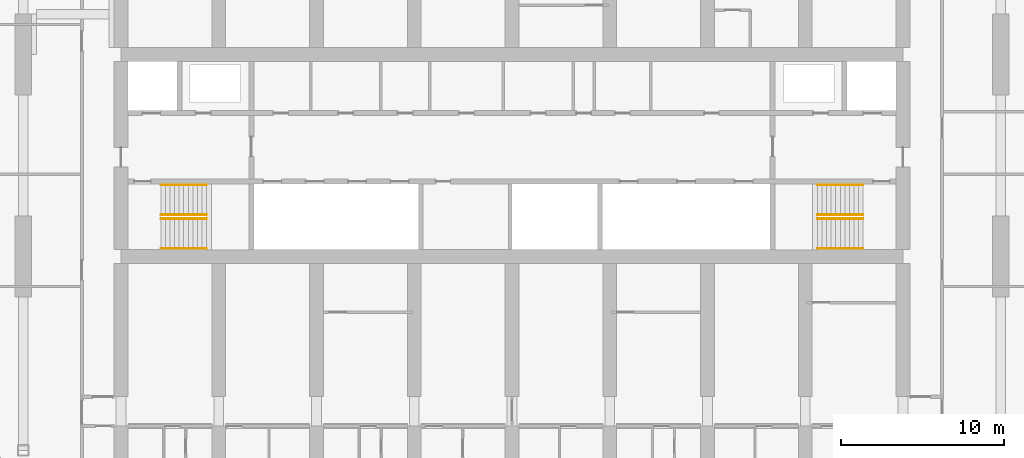
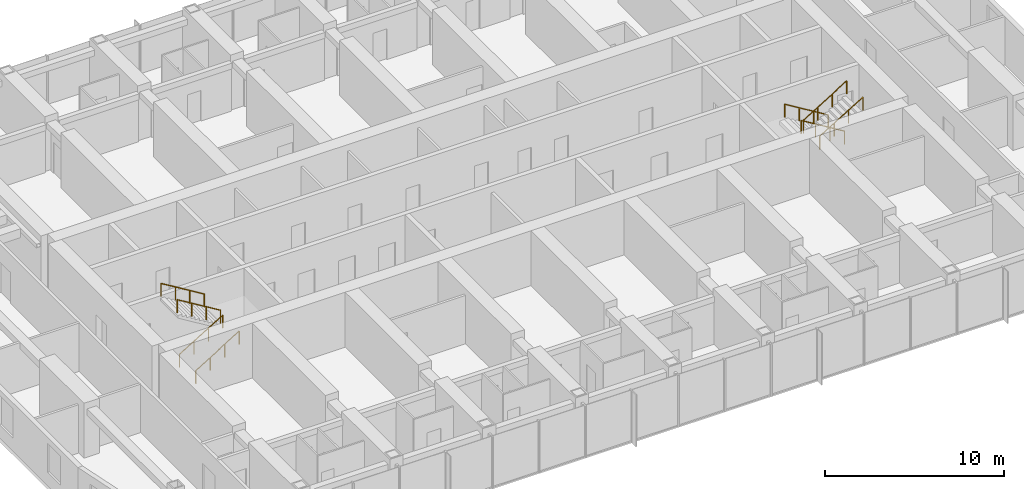
# One storey, part 22 of 22: 8 railings.
"""IFC4 building model written with IfcOpenShell, lengths in metres."""

from ifc_helpers import new_model, si_unit, direction, frame, origin, origin_2d, place, context, subcontext, project, spatial, circle, extrude, material, type_object, element, save


model = new_model("IFC4")

# Units and contexts
model_context = context("Model", 3, precision=1e-05, world=origin(), true_north=direction((0.0, 1.0)))
body_context = subcontext(model_context, "Body", "Model", "MODEL_VIEW")
ifc_project = project(units=[si_unit("LENGTHUNIT", "METRE"), si_unit("AREAUNIT", "SQUARE_METRE"), si_unit("VOLUMEUNIT", "CUBIC_METRE"), si_unit("PLANEANGLEUNIT", "RADIAN"), si_unit("MASSUNIT", "GRAM", prefix="KILO")], contexts=[model_context])

# Site, building, storey
site_placement = place(None, origin())
site = spatial("IfcSite", under=ifc_project, at=site_placement, CompositionType="ELEMENT")
building_placement = place(site_placement, origin())
building = spatial("IfcBuilding", under=site, at=building_placement, Name="Orbita Commons", CompositionType="ELEMENT")
storey_placement = place(building_placement, frame((0.0, 0.0, 159.85009765625)))
storey = spatial("IfcBuildingStorey", under=building, at=storey_placement, Name="L39", CompositionType="ELEMENT", Elevation=159.85009765625)

# Railings
ifc_material = material(Name="Steel tube, painted", Category="steel")
railing_type = type_object("IfcRailingType", Name="Stair handrail steel tube 900", PredefinedType="HANDRAIL", material=ifc_material)
for number, where, name in (
    (1, (20.449951171875, 28.114990234375, 0.17041015625), "Stair S1 handrail L39 flight 1"),
    (2, (20.449951171875, 26.284912109375, 0.17041015625), "Stair S1 handrail L39 flight 1"),
):
    element("IfcRailing", number, at=place(storey_placement, frame(where)), inside=storey, type_object=railing_type, Name=name, PredefinedType="HANDRAIL", context=body_context, shape_type="SweptSolid", body=[
        extrude(circle(Radius=0.02099609375, at=origin_2d()), frame((0.0, 0.0, 0.87890625), z_axis=(0.854169791009, 0.0, 0.51999420009), x_axis=(0.0, 1.0, 0.0)), (0.0, 0.0, 1.0), 3.278076171875),
        extrude(circle(Radius=0.02001953125, at=origin_2d()), origin(), (0.0, 0.0, 1.0), 0.85791015625),
        extrude(circle(Radius=0.02001953125, at=origin_2d()), frame((0.933349609375, 0.0, 0.568115234375)), (0.0, 0.0, 1.0), 0.85791015625),
        extrude(circle(Radius=0.02001953125, at=origin_2d()), frame((1.86669921875, 0.0, 1.136474609375)), (0.0, 0.0, 1.0), 0.85791015625),
        extrude(circle(Radius=0.02001953125, at=origin_2d()), frame((2.800048828125, 0.0, 1.70458984375)), (0.0, 0.0, 1.0), 0.85791015625),
    ])
for number, where, name in (
    (3, (23.25, 28.360107421875, 2.04541015625), "Stair S1 handrail L39 flight 2"),
    (4, (23.25, 30.18994140625, 2.04541015625), "Stair S1 handrail L39 flight 2"),
    (5, (63.550048828125, 28.360107421875, 0.17041015625), "Stair S2 handrail L39 flight 1"),
    (6, (63.550048828125, 30.18994140625, 0.17041015625), "Stair S2 handrail L39 flight 1"),
):
    element("IfcRailing", number, at=place(storey_placement, frame(where)), inside=storey, type_object=railing_type, Name=name, PredefinedType="HANDRAIL", context=body_context, shape_type="SweptSolid", body=[
        extrude(circle(Radius=0.02099609375, at=origin_2d()), frame((0.0, 0.0, 0.87890625), z_axis=(-0.854169791009, 0.0, 0.51999420009), x_axis=(0.0, -1.0, 0.0)), (0.0, 0.0, 1.0), 3.278076171875),
        extrude(circle(Radius=0.02001953125, at=origin_2d()), origin(), (0.0, 0.0, 1.0), 0.85791015625),
        extrude(circle(Radius=0.02001953125, at=origin_2d()), frame((-0.933349609375, 0.0, 0.568115234375)), (0.0, 0.0, 1.0), 0.85791015625),
        extrude(circle(Radius=0.02001953125, at=origin_2d()), frame((-1.86669921875, 0.0, 1.136474609375)), (0.0, 0.0, 1.0), 0.85791015625),
        extrude(circle(Radius=0.02001953125, at=origin_2d()), frame((-2.800048828125, 0.0, 1.70458984375)), (0.0, 0.0, 1.0), 0.85791015625),
    ])
for number, where, name in (
    (7, (60.75, 28.114990234375, 2.04541015625), "Stair S2 handrail L39 flight 2"),
    (8, (60.75, 26.284912109375, 2.04541015625), "Stair S2 handrail L39 flight 2"),
):
    element("IfcRailing", number, at=place(storey_placement, frame(where)), inside=storey, type_object=railing_type, Name=name, PredefinedType="HANDRAIL", context=body_context, shape_type="SweptSolid", body=[
        extrude(circle(Radius=0.02099609375, at=origin_2d()), frame((0.0, 0.0, 0.87890625), z_axis=(0.854169791009, 0.0, 0.51999420009), x_axis=(0.0, 1.0, 0.0)), (0.0, 0.0, 1.0), 3.278076171875),
        extrude(circle(Radius=0.02001953125, at=origin_2d()), origin(), (0.0, 0.0, 1.0), 0.85791015625),
        extrude(circle(Radius=0.02001953125, at=origin_2d()), frame((0.933349609375, 0.0, 0.568115234375)), (0.0, 0.0, 1.0), 0.85791015625),
        extrude(circle(Radius=0.02001953125, at=origin_2d()), frame((1.86669921875, 0.0, 1.136474609375)), (0.0, 0.0, 1.0), 0.85791015625),
        extrude(circle(Radius=0.02001953125, at=origin_2d()), frame((2.800048828125, 0.0, 1.70458984375)), (0.0, 0.0, 1.0), 0.85791015625),
    ])

save(model, "model.ifc")
